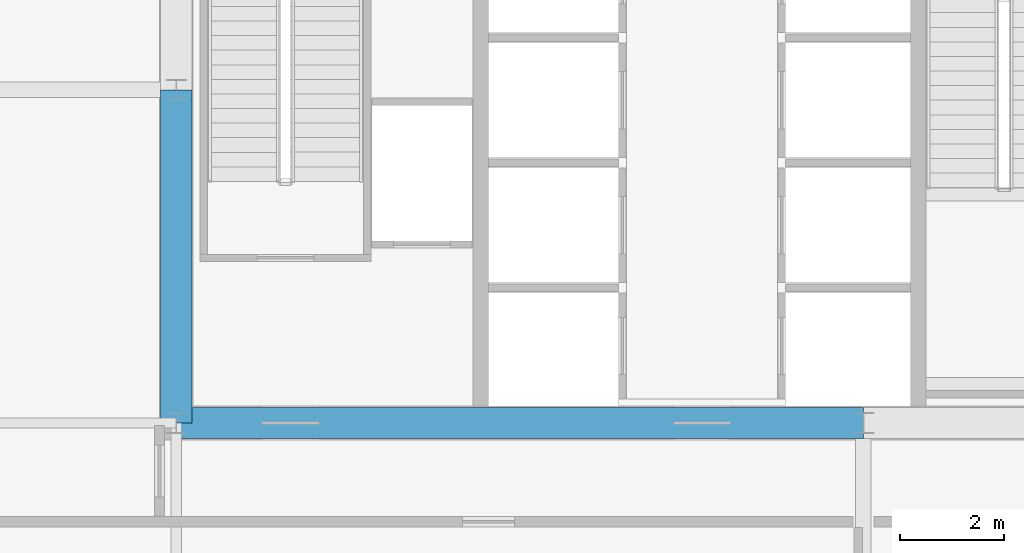
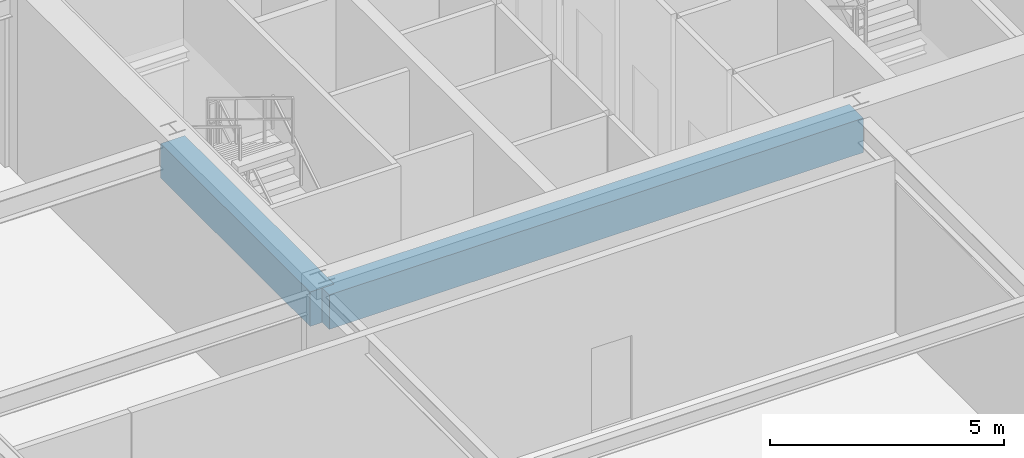
# One storey, part 11 of 34: 2 beams.
"""IFC4 building model written with IfcOpenShell, lengths in metres."""

from ifc_helpers import new_model, si_unit, direction, frame, origin, origin_2d, place, context, subcontext, project, spatial, rectangle, extrude, source, transform, mapped, material, material_profile, profile_set, type_object, element, save


model = new_model("IFC4")

# Units and contexts
model_context = context("Model", 3, precision=1e-05, world=origin(), true_north=direction((0.0, 1.0)))
body_context = subcontext(model_context, "Body", "Model", "MODEL_VIEW")
ifc_project = project(units=[si_unit("LENGTHUNIT", "METRE"), si_unit("AREAUNIT", "SQUARE_METRE"), si_unit("VOLUMEUNIT", "CUBIC_METRE"), si_unit("PLANEANGLEUNIT", "RADIAN"), si_unit("MASSUNIT", "GRAM", prefix="KILO"), si_unit("THERMODYNAMICTEMPERATUREUNIT", "KELVIN"), si_unit("POWERUNIT", "WATT")], contexts=[model_context])

# Site, building, storey
site_placement = place(None, origin())
site = spatial("IfcSite", under=ifc_project, at=site_placement, CompositionType="ELEMENT")
building_placement = place(site_placement, origin())
building = spatial("IfcBuilding", under=site, at=building_placement, Name="Yuzanri Waterfront Tower", CompositionType="ELEMENT")
storey_placement = place(building_placement, frame((0.0, 0.0, 166.800048828125)))
storey = spatial("IfcBuildingStorey", under=building, at=storey_placement, Name="L44", CompositionType="ELEMENT", Elevation=166.800048828125)

# Beams
ifc_material = material(Name="Concrete C60", Category="concrete")
ifc_material_profile = material_profile(ifc_material, rectangle(XDim=0.60009765625, YDim=0.89990234375, at=origin_2d()), Name="RC 600x900")
ifc_profile_set = profile_set([ifc_material_profile], Name="Concrete C60")
beam_type = type_object("IfcBeamType", Name="Core Coupling Lintel Concrete C60 600x900", PredefinedType="LINTEL", material=ifc_profile_set)
shared_shape_1 = source(origin(), body_context, "Body", "SweptSolid", [
    extrude(rectangle(XDim=0.60009765625, YDim=0.89990234375, at=origin_2d()), origin(), (0.0, 0.0, 1.0), 13.199951171875),
])
beam_1_placement = place(storey_placement, frame((23.800048828125, 19.39990234375, 4.050048828125), z_axis=(1.0, 0.0, 0.0), x_axis=(0.0, 1.0, 0.0)))
element("IfcBeam", 1, at=beam_1_placement, inside=storey, type_object=beam_type, Name="L44 Core Tie Beam CS1", PredefinedType="LINTEL", context=body_context, shape_type="MappedRepresentation", body=[
    mapped(shared_shape_1, transform((0.0, 0.0, 0.0), scale=1.0)),
])
shared_shape_2 = source(origin(), body_context, "Body", "SweptSolid", [
    extrude(rectangle(XDim=0.60009765625, YDim=0.89990234375, at=origin_2d()), origin(), (0.0, 0.0, 1.0), 6.400146484375),
])
beam_2_placement = place(storey_placement, frame((23.800048828125, 19.39990234375, 4.050048828125), z_axis=(0.0, 1.0, 0.0), x_axis=(-1.0, 0.0, 0.0)))
element("IfcBeam", 2, at=beam_2_placement, inside=storey, type_object=beam_type, Name="L44 Core Tie Beam CW1", PredefinedType="LINTEL", context=body_context, shape_type="MappedRepresentation", body=[
    mapped(shared_shape_2, transform((0.0, 0.0, 0.0), scale=1.0)),
])

save(model, "model.ifc")
